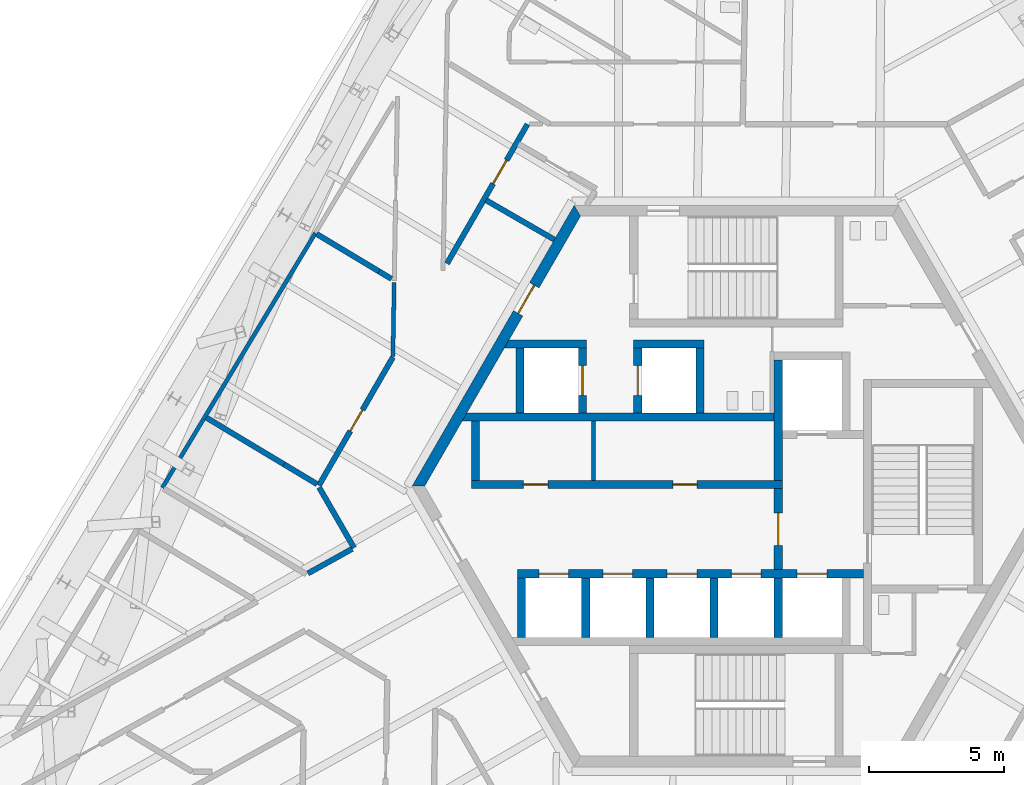
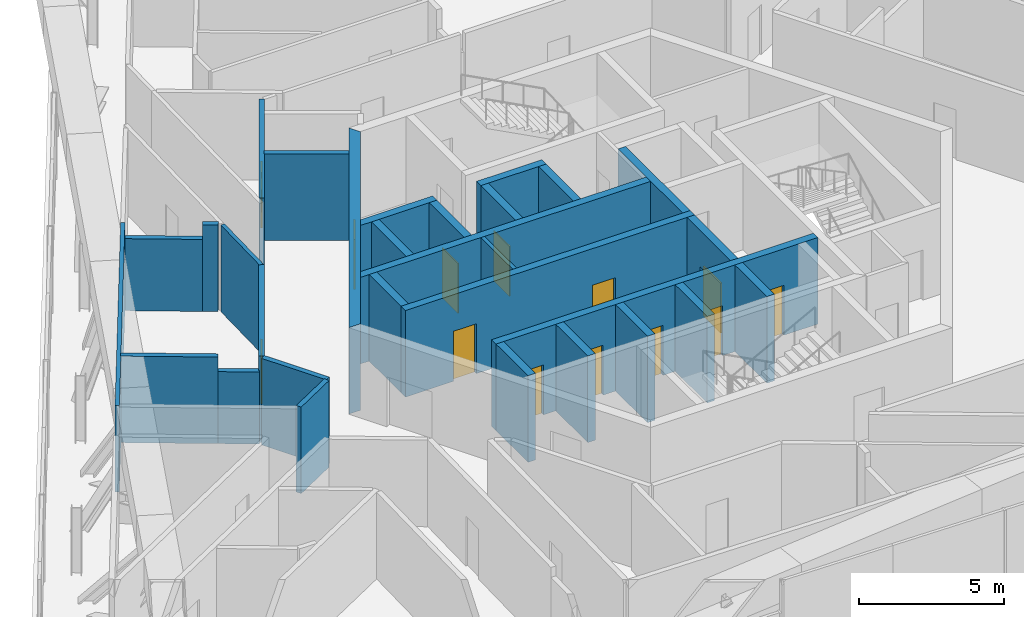
# One storey, part 16 of 28: 30 walls, 13 doors, 13 openings.
"""IFC4 building model written with IfcOpenShell, lengths in metres."""

from ifc_helpers import new_model, si_unit, direction, frame, frame_2d, origin, place, context, subcontext, project, spatial, polyline, rectangle, outline, extrude, source, transform, mapped, material, layer, layer_set, type_object, element, fill, save


model = new_model("IFC4")

# Units and contexts
model_context = context("Model", 3, precision=1e-05, world=origin(), true_north=direction((0.0, 1.0)))
body_context = subcontext(model_context, "Body", "Model", "MODEL_VIEW")
ifc_project = project(units=[si_unit("LENGTHUNIT", "METRE"), si_unit("AREAUNIT", "SQUARE_METRE"), si_unit("VOLUMEUNIT", "CUBIC_METRE"), si_unit("PLANEANGLEUNIT", "RADIAN"), si_unit("MASSUNIT", "GRAM", prefix="KILO")], contexts=[model_context])

# Site, building, storey
site_placement = place(None, origin())
site = spatial("IfcSite", under=ifc_project, at=site_placement, CompositionType="ELEMENT")
building_placement = place(site_placement, origin())
building = spatial("IfcBuilding", under=site, at=building_placement, Name="Triune Harvest Tower", CompositionType="ELEMENT")
storey_placement = place(building_placement, frame((0.0, 0.0, 215.89990234375)))
storey = spatial("IfcBuildingStorey", under=building, at=storey_placement, Name="L56", CompositionType="ELEMENT", Elevation=215.89990234375)

# Walls
ifc_material_1 = material(Name="Gypsum board on steel studs", Category="steel")
ifc_layer_1 = layer(ifc_material_1, 0.14990234375)
ifc_layer_set_1 = layer_set([ifc_layer_1], Name="Gypsum board on steel studs")
wall_type_1 = type_object("IfcWallType", Name="Fire Partition 150 mm", PredefinedType="PARTITIONING", material=ifc_layer_set_1)
wall_1_placement = place(storey_placement, frame((-21.241455078125, -0.05908203125, 0.0), z_axis=(0.0, 0.0, 1.0), x_axis=(0.515037778383, 0.857167478873, 0.0)))
element("IfcWall", 1, at=wall_1_placement, inside=storey, type_object=wall_type_1, Name="Partition L56 062", PredefinedType="PARTITIONING", context=body_context, shape_type="SweptSolid", body=[
    extrude(rectangle(XDim=10.99365234375, YDim=0.14990234375, at=frame_2d((5.496826171875, 0.0))), origin(), (0.0, 0.0, 1.0), 3.64013671875),
])
wall_2_placement = place(storey_placement, frame((-12.709228515625, 4.791259765625, 0.0), z_axis=(0.0, 0.0, 1.0), x_axis=(0.01749132954, 0.999847014993, 0.0)))
element("IfcWall", 2, at=wall_2_placement, inside=storey, type_object=wall_type_1, Name="Partition L56 080", PredefinedType="PARTITIONING", context=body_context, shape_type="SweptSolid", body=[
    extrude(rectangle(XDim=2.749755859375, YDim=0.14990234375, at=frame_2d((1.375, 0.0))), origin(), (0.0, 0.0, 1.0), 3.64013671875),
])
ifc_material_2 = material(Name="Gypsum board on steel studs", Category="steel")
ifc_layer_2 = layer(ifc_material_2, 0.199951171875)
ifc_layer_set_2 = layer_set([ifc_layer_2], Name="Gypsum board on steel studs")
wall_type_2 = type_object("IfcWallType", Name="Fire Wall 200 mm", PredefinedType="PARTITIONING", material=ifc_layer_set_2)
wall_3_placement = place(storey_placement, frame((-15.437255859375, -0.0458984375, 0.0), z_axis=(0.0, 0.0, 1.0), x_axis=(0.499883511851, -0.866092647804, 0.0)))
element("IfcWall", 3, at=wall_3_placement, inside=storey, type_object=wall_type_2, Name="Partition L56 006", PredefinedType="PARTITIONING", context=body_context, shape_type="SweptSolid", body=[
    extrude(rectangle(XDim=2.58056640625, YDim=0.199951171875, at=frame_2d((1.290283203125, 0.0))), origin(), (0.0, 0.0, 1.0), 3.64013671875),
])
wall_4_placement = place(storey_placement, frame((-19.6123046875, 2.535888671875, 0.0), z_axis=(0.0, 0.0, 1.0), x_axis=(0.857184690744, -0.515009131913, 0.0)))
element("IfcWall", 4, at=wall_4_placement, inside=storey, type_object=wall_type_2, Name="Partition L56 019", PredefinedType="PARTITIONING", context=body_context, shape_type="SweptSolid", body=[
    extrude(rectangle(XDim=3.356201171875, YDim=0.199951171875, at=frame_2d((1.67822265625, 0.0))), origin(), (0.0, 0.0, 1.0), 3.64013671875),
])
wall_5_placement = place(storey_placement, frame((-16.7353515625, 0.807373046875, 0.0), z_axis=(0.0, 0.0, 1.0), x_axis=(0.85717529387, -0.515024771811, 0.0)))
element("IfcWall", 5, at=wall_5_placement, inside=storey, type_object=wall_type_2, Name="Partition L56 019a", PredefinedType="PARTITIONING", context=body_context, shape_type="SweptSolid", body=[
    extrude(rectangle(XDim=1.425048828125, YDim=0.199951171875, at=frame_2d((0.71240234375, 0.0))), origin(), (0.0, 0.0, 1.0), 3.02783203125),
])
wall_6_placement = place(storey_placement, frame((-15.529296875, 9.331298828125, 0.0), z_axis=(0.0, 0.0, 1.0), x_axis=(0.857172281187, -0.5150297859, 0.0)))
element("IfcWall", 6, at=wall_6_placement, inside=storey, type_object=wall_type_2, Name="Partition L56 020", PredefinedType="PARTITIONING", context=body_context, shape_type="SweptSolid", body=[
    extrude(rectangle(XDim=2.688720703125, YDim=0.199951171875, at=frame_2d((1.34423828125, 0.0))), origin(), (0.0, 0.0, 1.0), 3.02783203125),
])
wall_7_placement = place(storey_placement, frame((-13.224609375, 7.946533203125, 0.0), z_axis=(0.0, 0.0, 1.0), x_axis=(0.857132956879, -0.515095228315, 0.0)))
element("IfcWall", 7, at=wall_7_placement, inside=storey, type_object=wall_type_2, Name="Partition L56 020a", PredefinedType="PARTITIONING", context=body_context, shape_type="SweptSolid", body=[
    extrude(rectangle(XDim=0.538818359375, YDim=0.199951171875, at=frame_2d((0.26953125, 0.0))), origin(), (0.0, 0.0, 1.0), 3.64013671875),
])
wall_8_placement = place(storey_placement, frame((-15.8525390625, -3.2265625, 0.0), z_axis=(0.0, 0.0, 1.0), x_axis=(0.874581858134, 0.484877895374, 0.0)))
element("IfcWall", 8, at=wall_8_placement, inside=storey, type_object=wall_type_2, Name="Partition L56 055", PredefinedType="PARTITIONING", context=body_context, shape_type="SweptSolid", body=[
    extrude(rectangle(XDim=1.8701171875, YDim=0.199951171875, at=frame_2d((0.93505859375, 0.0))), origin(), (0.0, 0.0, 1.0), 3.64013671875),
])

# Wall, opening, door
wall_9_placement = place(storey_placement, frame((-15.447021484375, 0.02978515625, 0.0), z_axis=(0.0, 0.0, 1.0), x_axis=(0.499995243048, 0.866028150195, 0.0)))
wall_9 = element("IfcWall", 9, at=wall_9_placement, inside=storey, type_object=wall_type_2, Name="Partition L56 069", PredefinedType="PARTITIONING", context=body_context, shape_type="SweptSolid", body=[
    extrude(rectangle(XDim=5.474609375, YDim=0.199951171875, at=frame_2d((2.7373046875, 0.0))), origin(), (0.0, 0.0, 1.0), 3.64013671875),
])
opening_1_placement = place(wall_9_placement, frame((2.324951171875, 0.0, 0.0)))
opening_1 = element("IfcOpeningElement", 10, at=opening_1_placement, cuts=wall_9, Name="Opening L56-014", PredefinedType="OPENING", context=body_context, shape_type="SweptSolid", body=[
    extrude(rectangle(XDim=0.89990234375, YDim=2.10009765625, at=frame_2d((0.449951171875, 1.050048828125))), frame((0.0, 0.10986328125, 0.0), z_axis=(0.0, -1.0, 0.0), x_axis=(1.0, 0.0, 0.0)), (0.0, 0.0, 1.0), 0.219970703125),
])
ifc_material_3 = material(Name="Timber and steel door set", Category="steel")
door_type_1 = type_object("IfcDoorType", Name="Single leaf door FD60 right hand 900 x 2100", OperationType="SINGLE_SWING_RIGHT", PredefinedType="DOOR", material=ifc_material_3)
door_1_placement = place(opening_1_placement, origin())
door_1 = element("IfcDoor", 11, at=door_1_placement, inside=storey, type_object=door_type_1, Name="Door L56-014 Chiller Plant Room 56.14", OperationType="SINGLE_SWING_RIGHT", OverallHeight=2.10009765625, OverallWidth=0.89990234375, PredefinedType="DOOR", context=body_context, shape_type="SweptSolid", body=[
    extrude(rectangle(XDim=0.89990234375, YDim=2.10009765625, at=frame_2d((0.449951171875, 1.050048828125))), frame((0.0, 0.02490234375, 0.0), z_axis=(0.0, -1.0, 0.0), x_axis=(1.0, 0.0, 0.0)), (0.0, 0.0, 1.0), 0.050048828125),
])
fill(opening_1, door_1)

wall_10_placement = place(storey_placement, frame((-10.7080078125, 8.23779296875, 0.0), z_axis=(0.0, 0.0, 1.0), x_axis=(0.499999419053, 0.866025739194, 0.0)))
wall_10 = element("IfcWall", 12, at=wall_10_placement, inside=storey, type_object=wall_type_2, Name="Partition L56 070", PredefinedType="PARTITIONING", context=body_context, shape_type="SweptSolid", body=[
    extrude(rectangle(XDim=5.95166015625, YDim=0.199951171875, at=frame_2d((2.975830078125, 0.0))), origin(), (0.0, 0.0, 1.0), 3.64013671875),
])
opening_2_placement = place(wall_10_placement, frame((3.411865234375, 0.0, 0.0)))
opening_2 = element("IfcOpeningElement", 13, at=opening_2_placement, cuts=wall_10, Name="Opening L56-013", PredefinedType="OPENING", context=body_context, shape_type="SweptSolid", body=[
    extrude(rectangle(XDim=1.0, YDim=2.10009765625, at=frame_2d((0.5, 1.050048828125))), frame((0.0, 0.10986328125, 0.0), z_axis=(0.0, -1.0, 0.0), x_axis=(1.0, 0.0, 0.0)), (0.0, 0.0, 1.0), 0.219970703125),
])
ifc_material_4 = material(Name="Timber and steel door set", Category="steel")
door_type_2 = type_object("IfcDoorType", Name="Wide single leaf door FD60 right hand 1000 x 2100", OperationType="SINGLE_SWING_RIGHT", PredefinedType="DOOR", material=ifc_material_4)
door_2_placement = place(opening_2_placement, origin())
door_2 = element("IfcDoor", 14, at=door_2_placement, inside=storey, type_object=door_type_2, Name="Door L56-013 Refuge Area 56.13", OperationType="SINGLE_SWING_RIGHT", OverallHeight=2.10009765625, OverallWidth=1.0, PredefinedType="DOOR", context=body_context, shape_type="SweptSolid", body=[
    extrude(rectangle(XDim=1.0, YDim=2.10009765625, at=frame_2d((0.5, 1.050048828125))), frame((0.0, 0.02490234375, 0.0), z_axis=(0.0, -1.0, 0.0), x_axis=(1.0, 0.0, 0.0)), (0.0, 0.0, 1.0), 0.050048828125),
])
fill(opening_2, door_2)

ifc_material_5 = material(Name="Concrete 70 MPa", Category="concrete")
ifc_layer_3 = layer(ifc_material_5, 0.39990234375)
ifc_layer_set_3 = layer_set([ifc_layer_3], Name="Concrete 70 MPa")
wall_type_3 = type_object("IfcWallType", Name="Core wall 400", PredefinedType="SHEAR", material=ifc_layer_set_3)
shared_shape_1 = source(origin(), body_context, "Body", "SweptSolid", [
    extrude(outline(polyline([(-0.115478515625, -0.199951171875), (11.884521484375, -0.199951171875), (11.653564453125, 0.199951171875), (0.115478515625, 0.199951171875), (-0.115478515625, -0.199951171875)])), origin(), (0.0, 0.0, 1.0), 3.64013671875),
])
wall_11_placement = place(storey_placement, frame((-5.884521484375, 10.1923828125, 0.0), z_axis=(0.0, 0.0, 1.0), x_axis=(-0.499996592174, -0.866027371285, 0.0)))
wall_11 = element("IfcWall", 15, at=wall_11_placement, inside=storey, type_object=wall_type_3, Name="Hexagon 2 wall", PredefinedType="SHEAR", context=body_context, shape_type="MappedRepresentation", body=[
    mapped(shared_shape_1, transform((0.0, 0.0, 0.0), scale=1.0)),
])
opening_3_placement = place(wall_11_placement, frame((3.1845703125, 0.0, 0.0)))
opening_3 = element("IfcOpeningElement", 16, at=opening_3_placement, cuts=wall_11, Name="Opening CD-SVP", PredefinedType="OPENING", context=body_context, shape_type="SweptSolid", body=[
    extrude(rectangle(XDim=1.199951171875, YDim=2.10009765625, at=frame_2d((0.60009765625, 1.050048828125))), frame((0.0, 0.2099609375, 0.0), z_axis=(0.0, -1.0, 0.0), x_axis=(1.0, 0.0, 0.0)), (0.0, 0.0, 1.0), 0.419921875),
])
ifc_material_6 = material(Name="Steel S235", Category="steel")
door_type_3 = type_object("IfcDoorType", Name="Service door 1200 FD120", OperationType="SINGLE_SWING_LEFT", PredefinedType="DOOR", material=ifc_material_6)
door_3_placement = place(opening_3_placement, frame((1.199951171875, 0.0, 0.0), z_axis=(0.0, 0.0, 1.0), x_axis=(-1.0, 0.0, 0.0)))
door_3 = element("IfcDoor", 17, at=door_3_placement, inside=storey, type_object=door_type_3, Name="Door CD-SVP", OperationType="SINGLE_SWING_RIGHT", OverallHeight=2.10009765625, OverallWidth=1.199951171875, PredefinedType="DOOR", context=body_context, shape_type="SweptSolid", body=[
    extrude(rectangle(XDim=1.199951171875, YDim=2.10009765625, at=frame_2d((0.60009765625, 1.050048828125))), frame((0.0, 0.02490234375, 0.0), z_axis=(0.0, -1.0, 0.0), x_axis=(1.0, 0.0, 0.0)), (0.0, 0.0, 1.0), 0.050048828125),
])
fill(opening_3, door_3)

# Wall, openings, doors
ifc_material_7 = material(Name="Concrete 70 MPa", Category="concrete")
ifc_layer_4 = layer(ifc_material_7, 0.300048828125)
ifc_layer_set_4 = layer_set([ifc_layer_4], Name="Concrete 70 MPa")
wall_type_4 = type_object("IfcWallType", Name="Core wall 300", PredefinedType="SHEAR", material=ifc_layer_set_4)
shared_shape_2 = source(origin(), body_context, "Body", "SweptSolid", [
    extrude(rectangle(XDim=11.5, YDim=0.300048828125, at=frame_2d((5.75, 0.0))), origin(), (0.0, 0.0, 1.0), 3.64013671875),
])
wall_12_placement = place(storey_placement, frame((-9.800048828125, 0.06005859375, 0.0), z_axis=(0.0, 0.0, 1.0), x_axis=(1.0, 0.0, 0.0)))
wall_12 = element("IfcWall", 18, at=wall_12_placement, inside=storey, type_object=wall_type_4, Name="North front wall", PredefinedType="SHEAR", context=body_context, shape_type="MappedRepresentation", body=[
    mapped(shared_shape_2, transform((0.0, 0.0, 0.0), scale=1.0)),
])
opening_4_placement = place(wall_12_placement, frame((1.922607421875, 0.0, 0.0)))
opening_4 = element("IfcOpeningElement", 19, at=opening_4_placement, cuts=wall_12, Name="Opening CD-RN1", PredefinedType="OPENING", context=body_context, shape_type="SweptSolid", body=[
    extrude(rectangle(XDim=0.89990234375, YDim=2.10009765625, at=frame_2d((0.449951171875, 1.050048828125))), frame((0.0, 0.16015625, 0.0), z_axis=(0.0, -1.0, 0.0), x_axis=(1.0, 0.0, 0.0)), (0.0, 0.0, 1.0), 0.320068359375),
])
opening_5_placement = place(wall_12_placement, frame((7.447509765625, 0.0, 0.0)))
opening_5 = element("IfcOpeningElement", 20, at=opening_5_placement, cuts=wall_12, Name="Opening CD-RN2", PredefinedType="OPENING", context=body_context, shape_type="SweptSolid", body=[
    extrude(rectangle(XDim=0.89990234375, YDim=2.10009765625, at=frame_2d((0.449951171875, 1.050048828125))), frame((0.0, 0.16015625, 0.0), z_axis=(0.0, -1.0, 0.0), x_axis=(1.0, 0.0, 0.0)), (0.0, 0.0, 1.0), 0.320068359375),
])
ifc_material_8 = material(Name="Steel S235", Category="steel")
door_type_4 = type_object("IfcDoorType", Name="Riser door 900 FD120", OperationType="SINGLE_SWING_LEFT", PredefinedType="DOOR", material=ifc_material_8)
door_4_placement = place(opening_4_placement, frame((0.89990234375, 0.0, 0.0), z_axis=(0.0, 0.0, 1.0), x_axis=(-1.0, 0.0, 0.0)))
door_4 = element("IfcDoor", 21, at=door_4_placement, inside=storey, type_object=door_type_4, Name="Door CD-RN1", OperationType="SINGLE_SWING_RIGHT", OverallHeight=2.10009765625, OverallWidth=0.89990234375, PredefinedType="DOOR", context=body_context, shape_type="SweptSolid", body=[
    extrude(rectangle(XDim=0.89990234375, YDim=2.10009765625, at=frame_2d((0.449951171875, 1.050048828125))), frame((0.0, 0.02490234375, 0.0), z_axis=(0.0, -1.0, 0.0), x_axis=(1.0, 0.0, 0.0)), (0.0, 0.0, 1.0), 0.050048828125),
])
fill(opening_4, door_4)
door_5_placement = place(opening_5_placement, frame((0.89990234375, 0.0, 0.0), z_axis=(0.0, 0.0, 1.0), x_axis=(-1.0, 0.0, 0.0)))
door_5 = element("IfcDoor", 22, at=door_5_placement, inside=storey, type_object=door_type_4, Name="Door CD-RN2", OperationType="SINGLE_SWING_RIGHT", OverallHeight=2.10009765625, OverallWidth=0.89990234375, PredefinedType="DOOR", context=body_context, shape_type="SweptSolid", body=[
    extrude(rectangle(XDim=0.89990234375, YDim=2.10009765625, at=frame_2d((0.449951171875, 1.050048828125))), frame((0.0, 0.02490234375, 0.0), z_axis=(0.0, -1.0, 0.0), x_axis=(1.0, 0.0, 0.0)), (0.0, 0.0, 1.0), 0.050048828125),
])
fill(opening_5, door_5)

# Walls
shared_shape_3 = source(origin(), body_context, "Body", "SweptSolid", [
    extrude(outline(polyline([(11.199951171875, -0.14990234375), (-0.34912109375, -0.14990234375), (-0.17578125, 0.14990234375), (11.199951171875, 0.14990234375), (11.199951171875, -0.14990234375)])), origin(), (0.0, 0.0, 1.0), 3.64013671875),
])
wall_13_placement = place(storey_placement, frame((-9.800048828125, 2.56005859375, 0.0), z_axis=(0.0, 0.0, 1.0), x_axis=(1.0, 0.0, 0.0)))
element("IfcWall", 23, at=wall_13_placement, inside=storey, type_object=wall_type_4, Name="North back wall", PredefinedType="SHEAR", context=body_context, shape_type="MappedRepresentation", body=[
    mapped(shared_shape_3, transform((0.0, 0.0, 0.0), scale=1.0)),
])
shared_shape_4 = source(origin(), body_context, "Body", "SweptSolid", [
    extrude(rectangle(XDim=4.449951171875, YDim=0.300048828125, at=frame_2d((2.22509765625, 0.0))), origin(), (0.0, 0.0, 1.0), 3.64013671875),
])
wall_14_placement = place(storey_placement, frame((1.550048828125, 0.2099609375, 0.0), z_axis=(0.0, 0.0, 1.0), x_axis=(0.0, 1.0, 0.0)))
element("IfcWall", 24, at=wall_14_placement, inside=storey, type_object=wall_type_4, Name="Ff1 west wall", PredefinedType="SHEAR", context=body_context, shape_type="MappedRepresentation", body=[
    mapped(shared_shape_4, transform((0.0, 0.0, 0.0), scale=1.0)),
])

# Wall, opening, door
shared_shape_5 = source(origin(), body_context, "Body", "SweptSolid", [
    extrude(rectangle(XDim=3.0, YDim=0.300048828125, at=frame_2d((1.5, 0.0))), origin(), (0.0, 0.0, 1.0), 3.64013671875),
])
wall_15_placement = place(storey_placement, frame((1.550048828125, -3.090087890625, 0.0), z_axis=(0.0, 0.0, 1.0), x_axis=(0.0, 1.0, 0.0)))
wall_15 = element("IfcWall", 25, at=wall_15_placement, inside=storey, type_object=wall_type_4, Name="Ff lobby west wall", PredefinedType="SHEAR", context=body_context, shape_type="MappedRepresentation", body=[
    mapped(shared_shape_5, transform((0.0, 0.0, 0.0), scale=1.0)),
])
opening_6_placement = place(wall_15_placement, frame((0.89990234375, 0.0, 0.0)))
opening_6 = element("IfcOpeningElement", 26, at=opening_6_placement, cuts=wall_15, Name="Opening CD-FL", PredefinedType="OPENING", context=body_context, shape_type="SweptSolid", body=[
    extrude(rectangle(XDim=1.199951171875, YDim=2.10009765625, at=frame_2d((0.60009765625, 1.050048828125))), frame((0.0, 0.16015625, 0.0), z_axis=(0.0, -1.0, 0.0), x_axis=(1.0, 0.0, 0.0)), (0.0, 0.0, 1.0), 0.320068359375),
])
ifc_material_9 = material(Name="Steel S235", Category="steel")
door_type_5 = type_object("IfcDoorType", Name="Firefighters' lobby door 1200 FD120", OperationType="SINGLE_SWING_LEFT", PredefinedType="DOOR", material=ifc_material_9)
door_6_placement = place(opening_6_placement, frame((1.199951171875, 0.0, 0.0), z_axis=(0.0, 0.0, 1.0), x_axis=(-1.0, 0.0, 0.0)))
door_6 = element("IfcDoor", 27, at=door_6_placement, inside=storey, type_object=door_type_5, Name="Door CD-FL", OperationType="SINGLE_SWING_RIGHT", OverallHeight=2.10009765625, OverallWidth=1.199951171875, PredefinedType="DOOR", context=body_context, shape_type="SweptSolid", body=[
    extrude(rectangle(XDim=1.199951171875, YDim=2.10009765625, at=frame_2d((0.60009765625, 1.050048828125))), frame((0.0, 0.02490234375, 0.0), z_axis=(0.0, -1.0, 0.0), x_axis=(1.0, 0.0, 0.0)), (0.0, 0.0, 1.0), 0.050048828125),
])
fill(opening_6, door_6)

# Wall, openings, doors
shared_shape_6 = source(origin(), body_context, "Body", "SweptSolid", [
    extrude(rectangle(XDim=12.800048828125, YDim=0.300048828125, at=frame_2d((6.39990234375, 0.0))), origin(), (0.0, 0.0, 1.0), 3.64013671875),
])
wall_16_placement = place(storey_placement, frame((-8.10009765625, -3.239990234375, 0.0), z_axis=(0.0, 0.0, 1.0), x_axis=(1.0, 0.0, 0.0)))
wall_16 = element("IfcWall", 28, at=wall_16_placement, inside=storey, type_object=wall_type_4, Name="South front wall", PredefinedType="SHEAR", context=body_context, shape_type="MappedRepresentation", body=[
    mapped(shared_shape_6, transform((0.0, 0.0, 0.0), scale=1.0)),
])
opening_7_placement = place(wall_16_placement, frame((0.78759765625, 0.0, 0.0)))
opening_7 = element("IfcOpeningElement", 29, at=opening_7_placement, cuts=wall_16, Name="Opening LD-HR1-56", PredefinedType="OPENING", context=body_context, shape_type="SweptSolid", body=[
    extrude(rectangle(XDim=1.10009765625, YDim=2.10009765625, at=frame_2d((0.550048828125, 1.050048828125))), frame((0.0, 0.16015625, 0.0), z_axis=(0.0, -1.0, 0.0), x_axis=(1.0, 0.0, 0.0)), (0.0, 0.0, 1.0), 0.320068359375),
])
opening_8_placement = place(wall_16_placement, frame((3.16259765625, 0.0, 0.0)))
opening_8 = element("IfcOpeningElement", 30, at=opening_8_placement, cuts=wall_16, Name="Opening LD-HR2-56", PredefinedType="OPENING", context=body_context, shape_type="SweptSolid", body=[
    extrude(rectangle(XDim=1.10009765625, YDim=2.10009765625, at=frame_2d((0.550048828125, 1.050048828125))), frame((0.0, 0.16015625, 0.0), z_axis=(0.0, -1.0, 0.0), x_axis=(1.0, 0.0, 0.0)), (0.0, 0.0, 1.0), 0.320068359375),
])
opening_9_placement = place(wall_16_placement, frame((5.53759765625, 0.0, 0.0)))
opening_9 = element("IfcOpeningElement", 31, at=opening_9_placement, cuts=wall_16, Name="Opening LD-HR3-56", PredefinedType="OPENING", context=body_context, shape_type="SweptSolid", body=[
    extrude(rectangle(XDim=1.10009765625, YDim=2.10009765625, at=frame_2d((0.550048828125, 1.050048828125))), frame((0.0, 0.16015625, 0.0), z_axis=(0.0, -1.0, 0.0), x_axis=(1.0, 0.0, 0.0)), (0.0, 0.0, 1.0), 0.320068359375),
])
opening_10_placement = place(wall_16_placement, frame((7.91259765625, 0.0, 0.0)))
opening_10 = element("IfcOpeningElement", 32, at=opening_10_placement, cuts=wall_16, Name="Opening LD-HR4-56", PredefinedType="OPENING", context=body_context, shape_type="SweptSolid", body=[
    extrude(rectangle(XDim=1.10009765625, YDim=2.10009765625, at=frame_2d((0.550048828125, 1.050048828125))), frame((0.0, 0.16015625, 0.0), z_axis=(0.0, -1.0, 0.0), x_axis=(1.0, 0.0, 0.0)), (0.0, 0.0, 1.0), 0.320068359375),
])
opening_11_placement = place(wall_16_placement, frame((10.35009765625, 0.0, 0.0)))
opening_11 = element("IfcOpeningElement", 33, at=opening_11_placement, cuts=wall_16, Name="Opening LD-FF2-56", PredefinedType="OPENING", context=body_context, shape_type="SweptSolid", body=[
    extrude(rectangle(XDim=1.10009765625, YDim=2.10009765625, at=frame_2d((0.550048828125, 1.050048828125))), frame((0.0, 0.16015625, 0.0), z_axis=(0.0, -1.0, 0.0), x_axis=(1.0, 0.0, 0.0)), (0.0, 0.0, 1.0), 0.320068359375),
])
ifc_material_10 = material(Name="Stainless steel AISI 304", Category="steel")
door_type_6 = type_object("IfcDoorType", Name="Landing door 1100 x 2100", OperationType="DOUBLE_DOOR_SLIDING", PredefinedType="DOOR", material=ifc_material_10)
door_7_placement = place(opening_7_placement, origin())
door_7 = element("IfcDoor", 34, at=door_7_placement, inside=storey, type_object=door_type_6, Name="Door LD-HR1-56", OperationType="DOUBLE_DOOR_SLIDING", OverallHeight=2.10009765625, OverallWidth=1.10009765625, PredefinedType="DOOR", context=body_context, shape_type="SweptSolid", body=[
    extrude(rectangle(XDim=1.10009765625, YDim=2.10009765625, at=frame_2d((0.550048828125, 1.050048828125))), frame((0.0, 0.02490234375, 0.0), z_axis=(0.0, -1.0, 0.0), x_axis=(1.0, 0.0, 0.0)), (0.0, 0.0, 1.0), 0.050048828125),
])
fill(opening_7, door_7)
door_8_placement = place(opening_8_placement, origin())
door_8 = element("IfcDoor", 35, at=door_8_placement, inside=storey, type_object=door_type_6, Name="Door LD-HR2-56", OperationType="DOUBLE_DOOR_SLIDING", OverallHeight=2.10009765625, OverallWidth=1.10009765625, PredefinedType="DOOR", context=body_context, shape_type="SweptSolid", body=[
    extrude(rectangle(XDim=1.10009765625, YDim=2.10009765625, at=frame_2d((0.550048828125, 1.050048828125))), frame((0.0, 0.02490234375, 0.0), z_axis=(0.0, -1.0, 0.0), x_axis=(1.0, 0.0, 0.0)), (0.0, 0.0, 1.0), 0.050048828125),
])
fill(opening_8, door_8)
door_9_placement = place(opening_9_placement, origin())
door_9 = element("IfcDoor", 36, at=door_9_placement, inside=storey, type_object=door_type_6, Name="Door LD-HR3-56", OperationType="DOUBLE_DOOR_SLIDING", OverallHeight=2.10009765625, OverallWidth=1.10009765625, PredefinedType="DOOR", context=body_context, shape_type="SweptSolid", body=[
    extrude(rectangle(XDim=1.10009765625, YDim=2.10009765625, at=frame_2d((0.550048828125, 1.050048828125))), frame((0.0, 0.02490234375, 0.0), z_axis=(0.0, -1.0, 0.0), x_axis=(1.0, 0.0, 0.0)), (0.0, 0.0, 1.0), 0.050048828125),
])
fill(opening_9, door_9)
door_10_placement = place(opening_10_placement, origin())
door_10 = element("IfcDoor", 37, at=door_10_placement, inside=storey, type_object=door_type_6, Name="Door LD-HR4-56", OperationType="DOUBLE_DOOR_SLIDING", OverallHeight=2.10009765625, OverallWidth=1.10009765625, PredefinedType="DOOR", context=body_context, shape_type="SweptSolid", body=[
    extrude(rectangle(XDim=1.10009765625, YDim=2.10009765625, at=frame_2d((0.550048828125, 1.050048828125))), frame((0.0, 0.02490234375, 0.0), z_axis=(0.0, -1.0, 0.0), x_axis=(1.0, 0.0, 0.0)), (0.0, 0.0, 1.0), 0.050048828125),
])
fill(opening_10, door_10)
door_11_placement = place(opening_11_placement, origin())
door_11 = element("IfcDoor", 38, at=door_11_placement, inside=storey, type_object=door_type_6, Name="Door LD-FF2-56", OperationType="DOUBLE_DOOR_SLIDING", OverallHeight=2.10009765625, OverallWidth=1.10009765625, PredefinedType="DOOR", context=body_context, shape_type="SweptSolid", body=[
    extrude(rectangle(XDim=1.10009765625, YDim=2.10009765625, at=frame_2d((0.550048828125, 1.050048828125))), frame((0.0, 0.02490234375, 0.0), z_axis=(0.0, -1.0, 0.0), x_axis=(1.0, 0.0, 0.0)), (0.0, 0.0, 1.0), 0.050048828125),
])
fill(opening_11, door_11)

# Walls
shared_shape_7 = source(origin(), body_context, "Body", "SweptSolid", [
    extrude(rectangle(XDim=2.2001953125, YDim=0.300048828125, at=frame_2d((1.10009765625, 0.0))), origin(), (0.0, 0.0, 1.0), 3.64013671875),
])
for number, where, z_axis, x_axis, name in (
    (39, (-7.949951171875, -5.590087890625, 0.0), (0.0, 0.0, 1.0), (0.0, 1.0, 0.0), "South end west wall"),
    (40, (1.550048828125, -5.590087890625, 0.0), (0.0, 0.0, 1.0), (0.0, 1.0, 0.0), "Ff2 west wall"),
    (41, (-5.574951171875, -5.590087890625, 0.0), (0.0, 0.0, 1.0), (0.0, 1.0, 0.0), "South cross 1 wall"),
    (42, (-3.199951171875, -5.590087890625, 0.0), (0.0, 0.0, 1.0), (0.0, 1.0, 0.0), "South cross 2 wall"),
    (43, (-0.824951171875, -5.590087890625, 0.0), (0.0, 0.0, 1.0), (0.0, 1.0, 0.0), "South cross 3 wall"),
):
    element("IfcWall", number, at=place(storey_placement, frame(where, z_axis=z_axis, x_axis=x_axis)), inside=storey, type_object=wall_type_4, Name=name, PredefinedType="SHEAR", context=body_context, shape_type="MappedRepresentation", body=[
        mapped(shared_shape_7, transform((0.0, 0.0, 0.0), scale=1.0)),
    ])
shared_shape_8 = source(origin(), body_context, "Body", "SweptSolid", [
    extrude(rectangle(XDim=2.199951171875, YDim=0.300048828125, at=frame_2d((1.10009765625, 0.0))), origin(), (0.0, 0.0, 1.0), 3.64013671875),
])
wall_17_placement = place(storey_placement, frame((-9.64990234375, 0.2099609375, 0.0), z_axis=(0.0, 0.0, 1.0), x_axis=(0.0, 1.0, 0.0)))
element("IfcWall", 44, at=wall_17_placement, inside=storey, type_object=wall_type_4, Name="North end west wall", PredefinedType="SHEAR", context=body_context, shape_type="MappedRepresentation", body=[
    mapped(shared_shape_8, transform((0.0, 0.0, 0.0), scale=1.0)),
])
shared_shape_9 = source(origin(), body_context, "Body", "SweptSolid", [
    extrude(outline(polyline([(2.60009765625, -0.14990234375), (-0.440185546875, -0.14990234375), (-0.26708984375, 0.14990234375), (2.60009765625, 0.14990234375), (2.60009765625, -0.14990234375)])), origin(), (0.0, 0.0, 1.0), 3.64013671875),
])
wall_18_placement = place(storey_placement, frame((-8.14990234375, 5.260009765625, 0.0), z_axis=(0.0, 0.0, 1.0), x_axis=(1.0, 0.0, 0.0)))
element("IfcWall", 45, at=wall_18_placement, inside=storey, type_object=wall_type_4, Name="Sv1 north wall", PredefinedType="SHEAR", context=body_context, shape_type="MappedRepresentation", body=[
    mapped(shared_shape_9, transform((0.0, 0.0, 0.0), scale=1.0)),
])
shared_shape_10 = source(origin(), body_context, "Body", "SweptSolid", [
    extrude(rectangle(XDim=2.400146484375, YDim=0.300048828125, at=frame_2d((1.2001953125, 0.0))), origin(), (0.0, 0.0, 1.0), 3.64013671875),
])
wall_19_placement = place(storey_placement, frame((-8.0, 2.7099609375, 0.0), z_axis=(0.0, 0.0, 1.0), x_axis=(0.0, 1.0, 0.0)))
element("IfcWall", 46, at=wall_19_placement, inside=storey, type_object=wall_type_4, Name="Sv1 west wall", PredefinedType="SHEAR", context=body_context, shape_type="MappedRepresentation", body=[
    mapped(shared_shape_10, transform((0.0, 0.0, 0.0), scale=1.0)),
])

# Wall, opening, door
wall_20_placement = place(storey_placement, frame((-5.699951171875, 2.7099609375, 0.0), z_axis=(0.0, 0.0, 1.0), x_axis=(0.0, 1.0, 0.0)))
wall_20 = element("IfcWall", 47, at=wall_20_placement, inside=storey, type_object=wall_type_4, Name="Sv1 east wall", PredefinedType="SHEAR", context=body_context, shape_type="MappedRepresentation", body=[
    mapped(shared_shape_10, transform((0.0, 0.0, 0.0), scale=1.0)),
])
opening_12_placement = place(wall_20_placement, frame((0.64990234375, 0.0, 0.0)))
opening_12 = element("IfcOpeningElement", 48, at=opening_12_placement, cuts=wall_20, Name="Opening LD-SV1-56", PredefinedType="OPENING", context=body_context, shape_type="SweptSolid", body=[
    extrude(rectangle(XDim=1.10009765625, YDim=2.10009765625, at=frame_2d((0.550048828125, 1.050048828125))), frame((0.0, 0.16015625, 0.0), z_axis=(0.0, -1.0, 0.0), x_axis=(1.0, 0.0, 0.0)), (0.0, 0.0, 1.0), 0.320068359375),
])
door_12_placement = place(opening_12_placement, origin())
door_12 = element("IfcDoor", 49, at=door_12_placement, inside=storey, type_object=door_type_6, Name="Door LD-SV1-56", OperationType="DOUBLE_DOOR_SLIDING", OverallHeight=2.10009765625, OverallWidth=1.10009765625, PredefinedType="DOOR", context=body_context, shape_type="SweptSolid", body=[
    extrude(rectangle(XDim=1.10009765625, YDim=2.10009765625, at=frame_2d((0.550048828125, 1.050048828125))), frame((0.0, 0.02490234375, 0.0), z_axis=(0.0, -1.0, 0.0), x_axis=(1.0, 0.0, 0.0)), (0.0, 0.0, 1.0), 0.050048828125),
])
fill(opening_12, door_12)

wall_21_placement = place(storey_placement, frame((-3.64990234375, 2.7099609375, 0.0), z_axis=(0.0, 0.0, 1.0), x_axis=(0.0, 1.0, 0.0)))
wall_21 = element("IfcWall", 50, at=wall_21_placement, inside=storey, type_object=wall_type_4, Name="Sv2 west wall", PredefinedType="SHEAR", context=body_context, shape_type="MappedRepresentation", body=[
    mapped(shared_shape_10, transform((0.0, 0.0, 0.0), scale=1.0)),
])
opening_13_placement = place(wall_21_placement, frame((0.64990234375, 0.0, 0.0)))
opening_13 = element("IfcOpeningElement", 51, at=opening_13_placement, cuts=wall_21, Name="Opening LD-SV2-56", PredefinedType="OPENING", context=body_context, shape_type="SweptSolid", body=[
    extrude(rectangle(XDim=1.10009765625, YDim=2.10009765625, at=frame_2d((0.550048828125, 1.050048828125))), frame((0.0, 0.16015625, 0.0), z_axis=(0.0, -1.0, 0.0), x_axis=(1.0, 0.0, 0.0)), (0.0, 0.0, 1.0), 0.320068359375),
])
door_13_placement = place(opening_13_placement, origin())
door_13 = element("IfcDoor", 52, at=door_13_placement, inside=storey, type_object=door_type_6, Name="Door LD-SV2-56", OperationType="DOUBLE_DOOR_SLIDING", OverallHeight=2.10009765625, OverallWidth=1.10009765625, PredefinedType="DOOR", context=body_context, shape_type="SweptSolid", body=[
    extrude(rectangle(XDim=1.10009765625, YDim=2.10009765625, at=frame_2d((0.550048828125, 1.050048828125))), frame((0.0, 0.02490234375, 0.0), z_axis=(0.0, -1.0, 0.0), x_axis=(1.0, 0.0, 0.0)), (0.0, 0.0, 1.0), 0.050048828125),
])
fill(opening_13, door_13)

# Walls
wall_22_placement = place(storey_placement, frame((-1.35009765625, 2.7099609375, 0.0), z_axis=(0.0, 0.0, 1.0), x_axis=(0.0, 1.0, 0.0)))
element("IfcWall", 53, at=wall_22_placement, inside=storey, type_object=wall_type_4, Name="Sv2 east wall", PredefinedType="SHEAR", context=body_context, shape_type="MappedRepresentation", body=[
    mapped(shared_shape_10, transform((0.0, 0.0, 0.0), scale=1.0)),
])
shared_shape_11 = source(origin(), body_context, "Body", "SweptSolid", [
    extrude(rectangle(XDim=2.60009765625, YDim=0.300048828125, at=frame_2d((1.300048828125, 0.0))), origin(), (0.0, 0.0, 1.0), 3.64013671875),
])
wall_23_placement = place(storey_placement, frame((-3.800048828125, 5.260009765625, 0.0), z_axis=(0.0, 0.0, 1.0), x_axis=(1.0, 0.0, 0.0)))
element("IfcWall", 54, at=wall_23_placement, inside=storey, type_object=wall_type_4, Name="Sv2 north wall", PredefinedType="SHEAR", context=body_context, shape_type="MappedRepresentation", body=[
    mapped(shared_shape_11, transform((0.0, 0.0, 0.0), scale=1.0)),
])
ifc_material_11 = material(Name="Concrete masonry unit", Category="masonry")
ifc_layer_5 = layer(ifc_material_11, 0.14990234375)
ifc_layer_set_5 = layer_set([ifc_layer_5], Name="Concrete masonry unit")
wall_type_5 = type_object("IfcWallType", Name="Block partition 150", PredefinedType="PARTITIONING", material=ifc_layer_set_5)
shared_shape_12 = source(origin(), body_context, "Body", "SweptSolid", [
    extrude(rectangle(XDim=2.199951171875, YDim=0.14990234375, at=frame_2d((1.10009765625, 0.0))), origin(), (0.0, 0.0, 1.0), 3.64013671875),
])
wall_24_placement = place(storey_placement, frame((-5.280029296875, 0.2099609375, 0.0), z_axis=(0.0, 0.0, 1.0), x_axis=(0.0, 1.0, 0.0)))
element("IfcWall", 55, at=wall_24_placement, inside=storey, type_object=wall_type_5, Name="Row n part 1 wall", PredefinedType="PARTITIONING", context=body_context, shape_type="MappedRepresentation", body=[
    mapped(shared_shape_12, transform((0.0, 0.0, 0.0), scale=1.0)),
])
shared_shape_13 = source(origin(), body_context, "Body", "SweptSolid", [
    extrude(rectangle(XDim=2.919921875, YDim=0.199951171875, at=frame_2d((1.4599609375, 0.0))), origin(), (0.0, 0.0, 1.0), 3.64013671875),
])
wall_25_placement = place(storey_placement, frame((-9.2626953125, 10.5810546875, 0.0), z_axis=(0.0, 0.0, 1.0), x_axis=(0.866032430508, -0.49998782916, 0.0)))
element("IfcWall", 56, at=wall_25_placement, inside=storey, type_object=wall_type_2, Name="Partition L56 028", PredefinedType="PARTITIONING", context=body_context, shape_type="MappedRepresentation", body=[
    mapped(shared_shape_13, transform((0.0, 0.0, 0.0), scale=1.0)),
])

save(model, "model.ifc")
